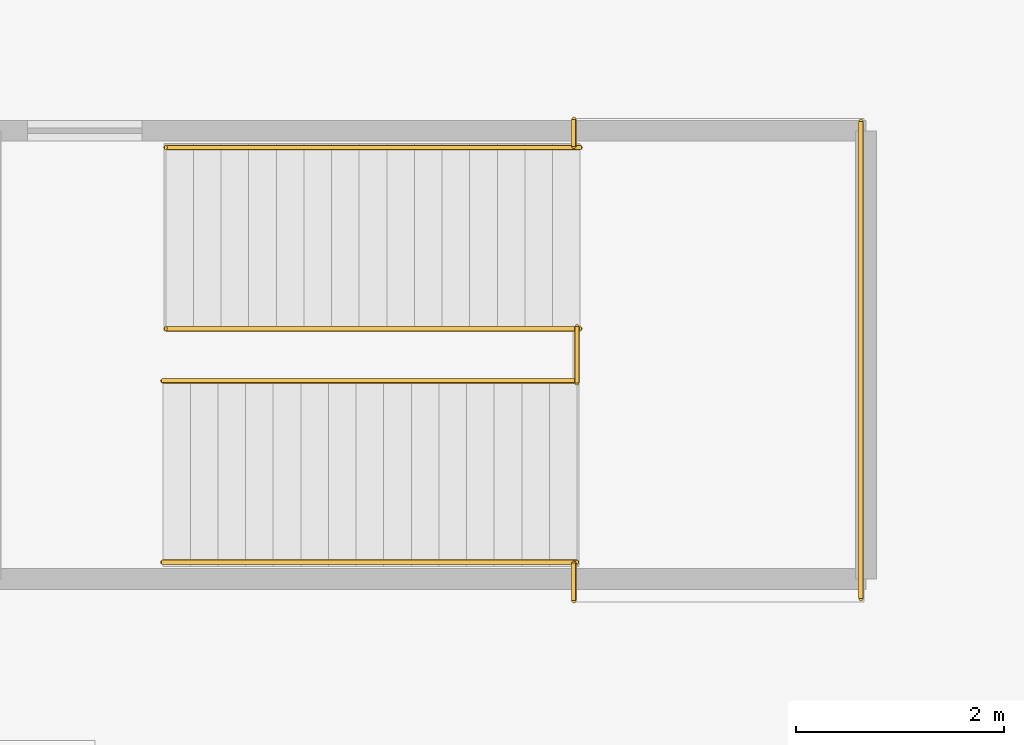
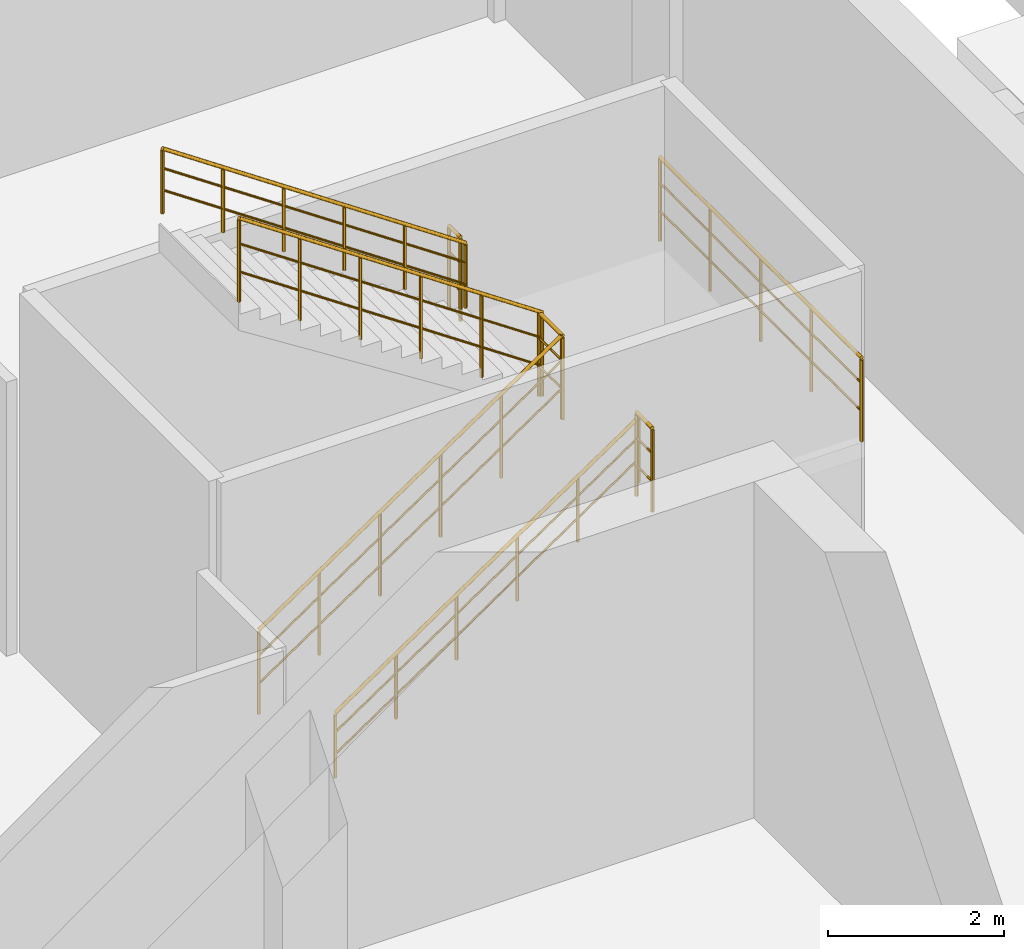
# One storey, part 40 of 42: 8 railings.
"""IFC4 building model written with IfcOpenShell, lengths in metres."""

from ifc_helpers import new_model, si_unit, direction, frame, origin, origin_2d, place, context, subcontext, project, spatial, circle, extrude, material, layer, layer_set, type_object, element, save


model = new_model("IFC4")

# Units and contexts
model_context = context("Model", 3, precision=1e-05, world=origin(), true_north=direction((0.0, 1.0)))
body_context = subcontext(model_context, "Body", "Model", "MODEL_VIEW")
ifc_project = project(units=[si_unit("LENGTHUNIT", "METRE"), si_unit("AREAUNIT", "SQUARE_METRE"), si_unit("VOLUMEUNIT", "CUBIC_METRE"), si_unit("PLANEANGLEUNIT", "RADIAN"), si_unit("MASSUNIT", "GRAM", prefix="KILO"), si_unit("THERMODYNAMICTEMPERATUREUNIT", "KELVIN"), si_unit("POWERUNIT", "WATT")], contexts=[model_context])

# Site, building, storey
site_placement = place(None, origin())
site = spatial("IfcSite", under=ifc_project, at=site_placement, CompositionType="ELEMENT")
building_placement = place(site_placement, origin())
building = spatial("IfcBuilding", under=site, at=building_placement, Name="Solmara Park Aquatics Centre", CompositionType="ELEMENT")
storey_placement = place(building_placement, frame((0.0, 0.0, -5.39990234375)))
storey = spatial("IfcBuildingStorey", under=building, at=storey_placement, Name="B1", CompositionType="ELEMENT", Elevation=-5.39990234375)

# Railings
ifc_material_1 = material(Name="Brushed Marine-Grade Stainless Steel 316L Handrail", Category="steel")
ifc_layer_1 = layer(ifc_material_1, 0.044921875, Name="Brushed Marine-Grade Stainless Steel 316L Handrail")
ifc_layer_set_1 = layer_set([ifc_layer_1], Name="Brushed Marine-Grade Stainless Steel 316L Handrail")
railing_type_1 = type_object("IfcRailingType", Name="ARC-RL-HND090", PredefinedType="HANDRAIL", material=ifc_layer_set_1)
railing_1_placement = place(storey_placement, frame((146.449951171875, 39.9599609375, 0.168701171875)))
element("IfcRailing", 1, at=railing_1_placement, inside=storey, type_object=railing_type_1, Name="Diving Pavilion Escape Stair ST-09 (B1-L00) Flight 1 Outer Handrail", PredefinedType="HANDRAIL", context=body_context, shape_type="SweptSolid", body=[
    extrude(circle(Radius=0.02392578125, at=origin_2d()), frame((0.0, 0.0, 0.89599609375), z_axis=(0.827227830126, 0.0, 0.561866636369), x_axis=(0.0, 1.0, 0.0)), (0.0, 0.0, 1.0), 4.805419921875),
    extrude(circle(Radius=0.01416015625, at=origin_2d()), frame((0.0, 0.0, 0.322021484375), z_axis=(0.827227830126, 0.0, 0.561866636369), x_axis=(0.0, 1.0, 0.0)), (0.0, 0.0, 1.0), 4.805419921875),
    extrude(circle(Radius=0.01416015625, at=origin_2d()), frame((0.0, 0.0, 0.62548828125), z_axis=(0.827227830126, 0.0, 0.561866636369), x_axis=(0.0, 1.0, 0.0)), (0.0, 0.0, 1.0), 4.805419921875),
    extrude(circle(Radius=0.02099609375, at=origin_2d()), origin(), (0.0, 0.0, 1.0), 0.871826171875),
    extrude(circle(Radius=0.02099609375, at=origin_2d()), frame((0.794921875, 0.0, 0.5400390625)), (0.0, 0.0, 1.0), 0.871826171875),
    extrude(circle(Radius=0.02099609375, at=origin_2d()), frame((1.590087890625, 0.0, 1.080078125)), (0.0, 0.0, 1.0), 0.871826171875),
    extrude(circle(Radius=0.02099609375, at=origin_2d()), frame((2.385009765625, 0.0, 1.619873046875)), (0.0, 0.0, 1.0), 0.871826171875),
    extrude(circle(Radius=0.02099609375, at=origin_2d()), frame((3.18017578125, 0.0, 2.159912109375)), (0.0, 0.0, 1.0), 0.871826171875),
    extrude(circle(Radius=0.02099609375, at=origin_2d()), frame((3.97509765625, 0.0, 2.699951171875)), (0.0, 0.0, 1.0), 0.871826171875),
])
railing_2_placement = place(storey_placement, frame((150.455078125, 43.93994140625, 2.86865234375)))
element("IfcRailing", 2, at=railing_2_placement, inside=storey, type_object=railing_type_1, Name="Diving Pavilion Escape Stair ST-09 (B1-L00) Flight 2 Outer Handrail", PredefinedType="HANDRAIL", context=body_context, shape_type="SweptSolid", body=[
    extrude(circle(Radius=0.02392578125, at=origin_2d()), frame((0.0, 0.0, 0.89599609375), z_axis=(-0.827227830126, 0.0, 0.561866636369), x_axis=(0.0, -1.0, 0.0)), (0.0, 0.0, 1.0), 4.805419921875),
    extrude(circle(Radius=0.01416015625, at=origin_2d()), frame((0.0, 0.0, 0.322021484375), z_axis=(-0.827227830126, 0.0, 0.561866636369), x_axis=(0.0, -1.0, 0.0)), (0.0, 0.0, 1.0), 4.805419921875),
    extrude(circle(Radius=0.01416015625, at=origin_2d()), frame((0.0, 0.0, 0.62548828125), z_axis=(-0.827227830126, 0.0, 0.561866636369), x_axis=(0.0, -1.0, 0.0)), (0.0, 0.0, 1.0), 4.805419921875),
    extrude(circle(Radius=0.02099609375, at=origin_2d()), origin(), (0.0, 0.0, 1.0), 0.871826171875),
    extrude(circle(Radius=0.02099609375, at=origin_2d()), frame((-0.794921875, 0.0, 0.5400390625)), (0.0, 0.0, 1.0), 0.871826171875),
    extrude(circle(Radius=0.02099609375, at=origin_2d()), frame((-1.590087890625, 0.0, 1.080078125)), (0.0, 0.0, 1.0), 0.871826171875),
    extrude(circle(Radius=0.02099609375, at=origin_2d()), frame((-2.385009765625, 0.0, 1.619873046875)), (0.0, 0.0, 1.0), 0.871826171875),
    extrude(circle(Radius=0.02099609375, at=origin_2d()), frame((-3.18017578125, 0.0, 2.159912109375)), (0.0, 0.0, 1.0), 0.871826171875),
    extrude(circle(Radius=0.02099609375, at=origin_2d()), frame((-3.97509765625, 0.0, 2.699951171875)), (0.0, 0.0, 1.0), 0.871826171875),
])
ifc_material_2 = material(Name="Brushed Stainless Steel Guardrail", Category="steel")
ifc_layer_2 = layer(ifc_material_2, 0.050048828125, Name="Brushed Stainless Steel Guardrail")
ifc_layer_set_2 = layer_set([ifc_layer_2], Name="Brushed Stainless Steel Guardrail")
railing_type_2 = type_object("IfcRailingType", Name="ARC-RL-STR110", PredefinedType="GUARDRAIL", material=ifc_layer_set_2)
railing_3_placement = place(storey_placement, frame((146.449951171875, 41.699951171875, 0.0)))
element("IfcRailing", 3, at=railing_3_placement, inside=storey, type_object=railing_type_2, Name="Diving Pavilion Escape Stair ST-09 (B1-L00) Flight 1 Inner Guardrail", PredefinedType="GUARDRAIL", context=body_context, shape_type="SweptSolid", body=[
    extrude(circle(Radius=0.02392578125, at=origin_2d()), frame((0.0, 0.0, 1.15576171875), z_axis=(0.827227830126, 0.0, 0.561866636369), x_axis=(0.0, 1.0, 0.0)), (0.0, 0.0, 1.0), 4.805419921875),
    extrude(circle(Radius=0.01416015625, at=origin_2d()), frame((0.0, 0.0, 0.4130859375), z_axis=(0.827227830126, 0.0, 0.561866636369), x_axis=(0.0, 1.0, 0.0)), (0.0, 0.0, 1.0), 4.805419921875),
    extrude(circle(Radius=0.01416015625, at=origin_2d()), frame((0.0, 0.0, 0.80224609375), z_axis=(0.827227830126, 0.0, 0.561866636369), x_axis=(0.0, 1.0, 0.0)), (0.0, 0.0, 1.0), 4.805419921875),
    extrude(circle(Radius=0.02099609375, at=origin_2d()), origin(), (0.0, 0.0, 1.0), 1.1318359375),
    extrude(circle(Radius=0.02099609375, at=origin_2d()), frame((0.794921875, 0.0, 0.5400390625)), (0.0, 0.0, 1.0), 1.1318359375),
    extrude(circle(Radius=0.02099609375, at=origin_2d()), frame((1.590087890625, 0.0, 1.080078125)), (0.0, 0.0, 1.0), 1.1318359375),
    extrude(circle(Radius=0.02099609375, at=origin_2d()), frame((2.385009765625, 0.0, 1.619873046875)), (0.0, 0.0, 1.0), 1.1318359375),
    extrude(circle(Radius=0.02099609375, at=origin_2d()), frame((3.18017578125, 0.0, 2.159912109375)), (0.0, 0.0, 1.0), 1.1318359375),
    extrude(circle(Radius=0.02099609375, at=origin_2d()), frame((3.97509765625, 0.0, 2.699951171875)), (0.0, 0.0, 1.0), 1.1318359375),
])
railing_4_placement = place(storey_placement, frame((150.455078125, 42.199951171875, 2.699951171875)))
element("IfcRailing", 4, at=railing_4_placement, inside=storey, type_object=railing_type_2, Name="Diving Pavilion Escape Stair ST-09 (B1-L00) Flight 2 Inner Guardrail", PredefinedType="GUARDRAIL", context=body_context, shape_type="SweptSolid", body=[
    extrude(circle(Radius=0.02392578125, at=origin_2d()), frame((0.0, 0.0, 1.15576171875), z_axis=(-0.827227830126, 0.0, 0.561866636369), x_axis=(0.0, -1.0, 0.0)), (0.0, 0.0, 1.0), 4.805419921875),
    extrude(circle(Radius=0.01416015625, at=origin_2d()), frame((0.0, 0.0, 0.4130859375), z_axis=(-0.827227830126, 0.0, 0.561866636369), x_axis=(0.0, -1.0, 0.0)), (0.0, 0.0, 1.0), 4.805419921875),
    extrude(circle(Radius=0.01416015625, at=origin_2d()), frame((0.0, 0.0, 0.80224609375), z_axis=(-0.827227830126, 0.0, 0.561866636369), x_axis=(0.0, -1.0, 0.0)), (0.0, 0.0, 1.0), 4.805419921875),
    extrude(circle(Radius=0.02099609375, at=origin_2d()), origin(), (0.0, 0.0, 1.0), 1.1318359375),
    extrude(circle(Radius=0.02099609375, at=origin_2d()), frame((-0.794921875, 0.0, 0.5400390625)), (0.0, 0.0, 1.0), 1.1318359375),
    extrude(circle(Radius=0.02099609375, at=origin_2d()), frame((-1.590087890625, 0.0, 1.080078125)), (0.0, 0.0, 1.0), 1.1318359375),
    extrude(circle(Radius=0.02099609375, at=origin_2d()), frame((-2.385009765625, 0.0, 1.619873046875)), (0.0, 0.0, 1.0), 1.1318359375),
    extrude(circle(Radius=0.02099609375, at=origin_2d()), frame((-3.18017578125, 0.0, 2.159912109375)), (0.0, 0.0, 1.0), 1.1318359375),
    extrude(circle(Radius=0.02099609375, at=origin_2d()), frame((-3.97509765625, 0.0, 2.699951171875)), (0.0, 0.0, 1.0), 1.1318359375),
])
railing_5_placement = place(storey_placement, frame((150.425048828125, 41.679931640625, 2.699951171875)))
element("IfcRailing", 5, at=railing_5_placement, inside=storey, type_object=railing_type_2, Name="Diving Pavilion Escape Stair ST-09 (B1-L00) Half-Landing Well Guardrail", PredefinedType="GUARDRAIL", context=body_context, shape_type="SweptSolid", body=[
    extrude(circle(Radius=0.02392578125, at=origin_2d()), frame((0.0, 0.0, 1.15576171875), z_axis=(0.0, 1.0, 0.0), x_axis=(-1.0, 0.0, 0.0)), (0.0, 0.0, 1.0), 0.5400390625),
    extrude(circle(Radius=0.01416015625, at=origin_2d()), frame((0.0, 0.0, 0.4130859375), z_axis=(0.0, 1.0, 0.0), x_axis=(-1.0, 0.0, 0.0)), (0.0, 0.0, 1.0), 0.5400390625),
    extrude(circle(Radius=0.01416015625, at=origin_2d()), frame((0.0, 0.0, 0.80224609375), z_axis=(0.0, 1.0, 0.0), x_axis=(-1.0, 0.0, 0.0)), (0.0, 0.0, 1.0), 0.5400390625),
    extrude(circle(Radius=0.02099609375, at=origin_2d()), origin(), (0.0, 0.0, 1.0), 1.1318359375),
    extrude(circle(Radius=0.02099609375, at=origin_2d()), frame((0.0, 0.5400390625, 0.0)), (0.0, 0.0, 1.0), 1.1318359375),
])
railing_6_placement = place(storey_placement, frame((150.39501953125, 39.590087890625, 2.699951171875)))
element("IfcRailing", 6, at=railing_6_placement, inside=storey, type_object=railing_type_2, Name="Diving Pavilion Escape Stair ST-09 (B1-L00) Half-Landing South Slot Guardrail", PredefinedType="GUARDRAIL", context=body_context, shape_type="SweptSolid", body=[
    extrude(circle(Radius=0.02392578125, at=origin_2d()), frame((0.0, 0.0, 1.15576171875), z_axis=(0.0, 1.0, 0.0), x_axis=(-1.0, 0.0, 0.0)), (0.0, 0.0, 1.0), 0.35986328125),
    extrude(circle(Radius=0.01416015625, at=origin_2d()), frame((0.0, 0.0, 0.4130859375), z_axis=(0.0, 1.0, 0.0), x_axis=(-1.0, 0.0, 0.0)), (0.0, 0.0, 1.0), 0.35986328125),
    extrude(circle(Radius=0.01416015625, at=origin_2d()), frame((0.0, 0.0, 0.80224609375), z_axis=(0.0, 1.0, 0.0), x_axis=(-1.0, 0.0, 0.0)), (0.0, 0.0, 1.0), 0.35986328125),
    extrude(circle(Radius=0.02099609375, at=origin_2d()), origin(), (0.0, 0.0, 1.0), 1.1318359375),
    extrude(circle(Radius=0.02099609375, at=origin_2d()), frame((0.0, 0.35986328125, 0.0)), (0.0, 0.0, 1.0), 1.1318359375),
])
railing_7_placement = place(storey_placement, frame((150.39501953125, 43.949951171875, 2.699951171875)))
element("IfcRailing", 7, at=railing_7_placement, inside=storey, type_object=railing_type_2, Name="Diving Pavilion Escape Stair ST-09 (B1-L00) Half-Landing North Slot Guardrail", PredefinedType="GUARDRAIL", context=body_context, shape_type="SweptSolid", body=[
    extrude(circle(Radius=0.02392578125, at=origin_2d()), frame((0.0, 0.0, 1.15576171875), z_axis=(0.0, 1.0, 0.0), x_axis=(-1.0, 0.0, 0.0)), (0.0, 0.0, 1.0), 0.260009765625),
    extrude(circle(Radius=0.01416015625, at=origin_2d()), frame((0.0, 0.0, 0.4130859375), z_axis=(0.0, 1.0, 0.0), x_axis=(-1.0, 0.0, 0.0)), (0.0, 0.0, 1.0), 0.260009765625),
    extrude(circle(Radius=0.01416015625, at=origin_2d()), frame((0.0, 0.0, 0.80224609375), z_axis=(0.0, 1.0, 0.0), x_axis=(-1.0, 0.0, 0.0)), (0.0, 0.0, 1.0), 0.260009765625),
    extrude(circle(Radius=0.02099609375, at=origin_2d()), origin(), (0.0, 0.0, 1.0), 1.1318359375),
    extrude(circle(Radius=0.02099609375, at=origin_2d()), frame((0.0, 0.260009765625, 0.0)), (0.0, 0.0, 1.0), 1.1318359375),
])
railing_8_placement = place(storey_placement, frame((153.14990234375, 39.610107421875, 2.699951171875)))
element("IfcRailing", 8, at=railing_8_placement, inside=storey, type_object=railing_type_2, Name="Diving Pavilion Escape Stair ST-09 (B1-L00) Half-Landing Outer Guardrail", PredefinedType="GUARDRAIL", context=body_context, shape_type="SweptSolid", body=[
    extrude(circle(Radius=0.02392578125, at=origin_2d()), frame((0.0, 0.0, 1.15576171875), z_axis=(0.0, 1.0, 0.0), x_axis=(-1.0, 0.0, 0.0)), (0.0, 0.0, 1.0), 4.579833984375),
    extrude(circle(Radius=0.01416015625, at=origin_2d()), frame((0.0, 0.0, 0.4130859375), z_axis=(0.0, 1.0, 0.0), x_axis=(-1.0, 0.0, 0.0)), (0.0, 0.0, 1.0), 4.579833984375),
    extrude(circle(Radius=0.01416015625, at=origin_2d()), frame((0.0, 0.0, 0.80224609375), z_axis=(0.0, 1.0, 0.0), x_axis=(-1.0, 0.0, 0.0)), (0.0, 0.0, 1.0), 4.579833984375),
    extrude(circle(Radius=0.02099609375, at=origin_2d()), origin(), (0.0, 0.0, 1.0), 1.1318359375),
    extrude(circle(Radius=0.02099609375, at=origin_2d()), frame((0.0, 1.14501953125, 0.0)), (0.0, 0.0, 1.0), 1.1318359375),
    extrude(circle(Radius=0.02099609375, at=origin_2d()), frame((0.0, 2.2900390625, 0.0)), (0.0, 0.0, 1.0), 1.1318359375),
    extrude(circle(Radius=0.02099609375, at=origin_2d()), frame((0.0, 3.434814453125, 0.0)), (0.0, 0.0, 1.0), 1.1318359375),
    extrude(circle(Radius=0.02099609375, at=origin_2d()), frame((0.0, 4.579833984375, 0.0)), (0.0, 0.0, 1.0), 1.1318359375),
])

save(model, "model.ifc")
